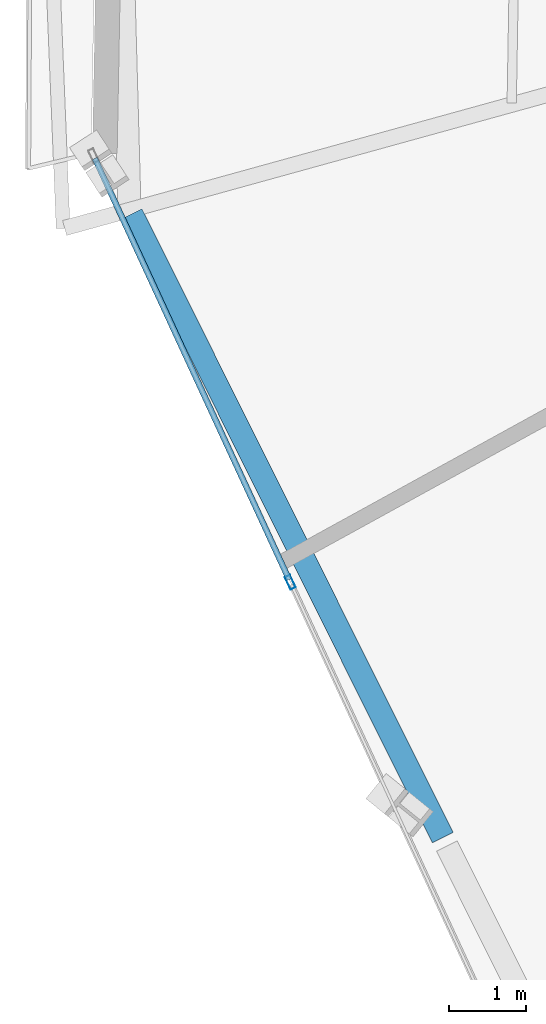
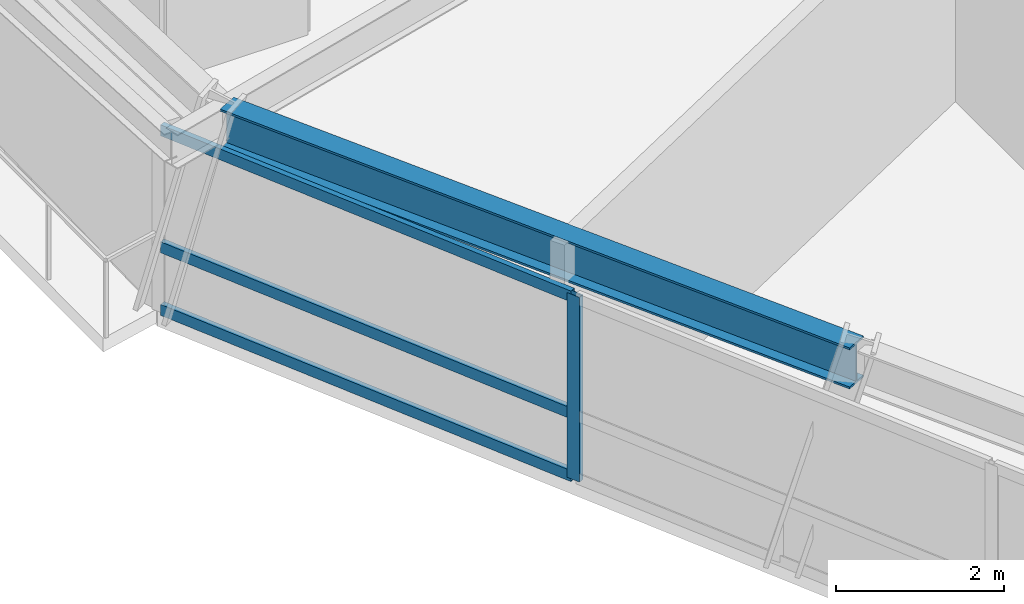
# One storey, part 3 of 22: 4 members, 1 beam, 1 element without a shape of its own.
"""IFC4 building model written with IfcOpenShell, lengths in metres."""

from ifc_helpers import new_model, si_unit, direction, frame, origin, origin_2d, place, context, subcontext, project, spatial, hollow_rectangle, i_section, extrude, source, transform, mapped, material, material_profile, profile_set, type_object, element, aggregate, save


model = new_model("IFC4")

# Units and contexts
model_context = context("Model", 3, precision=1e-05, world=origin(), true_north=direction((0.0, 1.0)))
body_context = subcontext(model_context, "Body", "Model", "MODEL_VIEW")
ifc_project = project(units=[si_unit("LENGTHUNIT", "METRE"), si_unit("AREAUNIT", "SQUARE_METRE"), si_unit("VOLUMEUNIT", "CUBIC_METRE"), si_unit("PLANEANGLEUNIT", "RADIAN"), si_unit("MASSUNIT", "GRAM", prefix="KILO")], contexts=[model_context])

# Site, building, storey
site_placement = place(None, origin())
site = spatial("IfcSite", under=ifc_project, at=site_placement, CompositionType="ELEMENT")
building_placement = place(site_placement, origin())
building = spatial("IfcBuilding", under=site, at=building_placement, Name="Olszyna Solenne Hotel", CompositionType="ELEMENT")
storey_placement = place(building_placement, frame((0.0, 0.0, 95.050048828125)))
storey = spatial("IfcBuildingStorey", under=building, at=storey_placement, Name="L24", CompositionType="ELEMENT", Elevation=95.050048828125)

# Beam
ifc_material_1 = material(Name="Steel S355J2", Category="steel")
ifc_material_profile_1 = material_profile(ifc_material_1, i_section(OverallWidth=0.300048828125, OverallDepth=0.60009765625, WebThickness=0.015380859375, FlangeThickness=0.030029296875, at=origin_2d()), Name="HEB 600", Category="load-bearing")
ifc_profile_set_1 = profile_set([ifc_material_profile_1], Name="Steel S355J2")
beam_type = type_object("IfcBeamType", Name="BM-S2", PredefinedType="BEAM", material=ifc_profile_set_1)
shared_shape_1 = source(origin(), body_context, "Body", "SweptSolid", [
    extrude(i_section(OverallWidth=0.300048828125, OverallDepth=0.60009765625, WebThickness=0.015380859375, FlangeThickness=0.030029296875, at=origin_2d()), origin(), (0.0, 0.0, 1.0), 9.011962890625),
])
beam_placement = place(storey_placement, frame((17.446533203125, 20.87255859375, 3.0), z_axis=(0.446487408325, -0.894789916241, 0.0), x_axis=(0.894789916241, 0.446487408325, 0.0)))
element("IfcBeam", 1, at=beam_placement, inside=storey, type_object=beam_type, Name="Perimeter spandrel beam BM-S2 B-L24-0726", PredefinedType="BEAM", context=body_context, shape_type="MappedRepresentation", body=[
    mapped(shared_shape_1, transform((0.0, 0.0, 0.0), x_axis=(1.0, 0.0, 0.0), y_axis=(0.0, 1.0, 0.0), z_axis=(0.0, 0.0, 1.0), scale=1.0)),
])

# Curtain wall, members
ifc_material_2 = material(Name="Anodised bronze aluminium", Category="aluminium")
curtain_wall_type = type_object("IfcCurtainWallType", Name="CW-SYS-3", PredefinedType="NOTDEFINED", material=ifc_material_2)
curtain_wall_placement = place(storey_placement, origin())
curtain_wall = element("IfcCurtainWall", 2, at=curtain_wall_placement, inside=storey, type_object=curtain_wall_type, Name="Unitised curtain wall CW-SYS-3 CW-L24-01", PredefinedType="NOTDEFINED")
ifc_material_profile_2 = material_profile(ifc_material_2, hollow_rectangle(XDim=0.074951171875, YDim=0.159912109375, WallThickness=0.00390625, at=origin_2d()), Name="TRAN 160x75x4", Category="load-bearing")
ifc_profile_set_2 = profile_set([ifc_material_profile_2], Name="Anodised bronze aluminium")
member_type_1 = type_object("IfcMemberType", Name="CW-T1", PredefinedType="USERDEFINED", material=ifc_profile_set_2)
shared_shape_2 = source(origin(), body_context, "Body", "SweptSolid", [
    extrude(hollow_rectangle(XDim=0.074951171875, YDim=0.159912109375, WallThickness=0.00390625, at=origin_2d()), origin(), (0.0, 0.0, 1.0), 5.99658203125),
])
member_1_placement = place(storey_placement, frame((16.972412109375, 21.590576171875, 0.037353515625), z_axis=(0.418784480722, -0.90808565604, 0.0), x_axis=(0.90808565604, 0.418784480722, 0.0)))
member_1 = element("IfcMember", 3, at=member_1_placement, type_object=member_type_1, Name="Curtain-wall transom CW-T1 CT-L24-01-01", ObjectType="TRANSOM", PredefinedType="USERDEFINED", context=body_context, shape_type="MappedRepresentation", body=[
    mapped(shared_shape_2, transform((0.0, 0.0, 0.0), x_axis=(1.0, 0.0, 0.0), y_axis=(0.0, 1.0, 0.0), z_axis=(0.0, 0.0, 1.0), scale=1.0)),
])
member_2_placement = place(storey_placement, frame((16.972412109375, 21.590576171875, 0.949951171875), z_axis=(0.418784480722, -0.90808565604, 0.0), x_axis=(0.90808565604, 0.418784480722, 0.0)))
member_2 = element("IfcMember", 4, at=member_2_placement, type_object=member_type_1, Name="Curtain-wall transom CW-T1 CT-L24-01-02", ObjectType="TRANSOM", PredefinedType="USERDEFINED", context=body_context, shape_type="MappedRepresentation", body=[
    mapped(shared_shape_2, transform((0.0, 0.0, 0.0), x_axis=(1.0, 0.0, 0.0), y_axis=(0.0, 1.0, 0.0), z_axis=(0.0, 0.0, 1.0), scale=1.0)),
])
member_3_placement = place(storey_placement, frame((16.972412109375, 21.590576171875, 2.654541015625), z_axis=(0.418784480722, -0.90808565604, 0.0), x_axis=(0.90808565604, 0.418784480722, 0.0)))
member_3 = element("IfcMember", 5, at=member_3_placement, type_object=member_type_1, Name="Curtain-wall transom CW-T1 CT-L24-01-03", ObjectType="TRANSOM", PredefinedType="USERDEFINED", context=body_context, shape_type="MappedRepresentation", body=[
    mapped(shared_shape_2, transform((0.0, 0.0, 0.0), x_axis=(1.0, 0.0, 0.0), y_axis=(0.0, 1.0, 0.0), z_axis=(0.0, 0.0, 1.0), scale=1.0)),
])
ifc_material_profile_3 = material_profile(ifc_material_2, hollow_rectangle(XDim=0.074951171875, YDim=0.179931640625, WallThickness=0.00439453125, at=origin_2d()), Name="MULL 180x75x4.5", Category="load-bearing")
ifc_profile_set_3 = profile_set([ifc_material_profile_3], Name="Anodised bronze aluminium")
member_type_2 = type_object("IfcMemberType", Name="CW-M2", PredefinedType="MULLION", material=ifc_profile_set_3)
shared_shape_3 = source(origin(), body_context, "Body", "SweptSolid", [
    extrude(hollow_rectangle(XDim=0.074951171875, YDim=0.179931640625, WallThickness=0.00439453125, at=origin_2d()), origin(), (0.0, 0.0, 1.0), 2.69189453125),
])
member_4_placement = place(storey_placement, frame((19.49951171875, 16.111083984375, 0.0), z_axis=(0.0, 0.0, 1.0), x_axis=(0.908085188814, 0.418785493846, 0.0)))
member_4 = element("IfcMember", 6, at=member_4_placement, type_object=member_type_2, Name="Curtain-wall mullion CW-M2 CM-L24-01-02", PredefinedType="MULLION", context=body_context, shape_type="MappedRepresentation", body=[
    mapped(shared_shape_3, transform((0.0, 0.0, 0.0), x_axis=(1.0, 0.0, 0.0), y_axis=(0.0, 1.0, 0.0), z_axis=(0.0, 0.0, 1.0), scale=1.0)),
])
aggregate(curtain_wall, [member_4, member_1, member_2, member_3])

save(model, "model.ifc")
